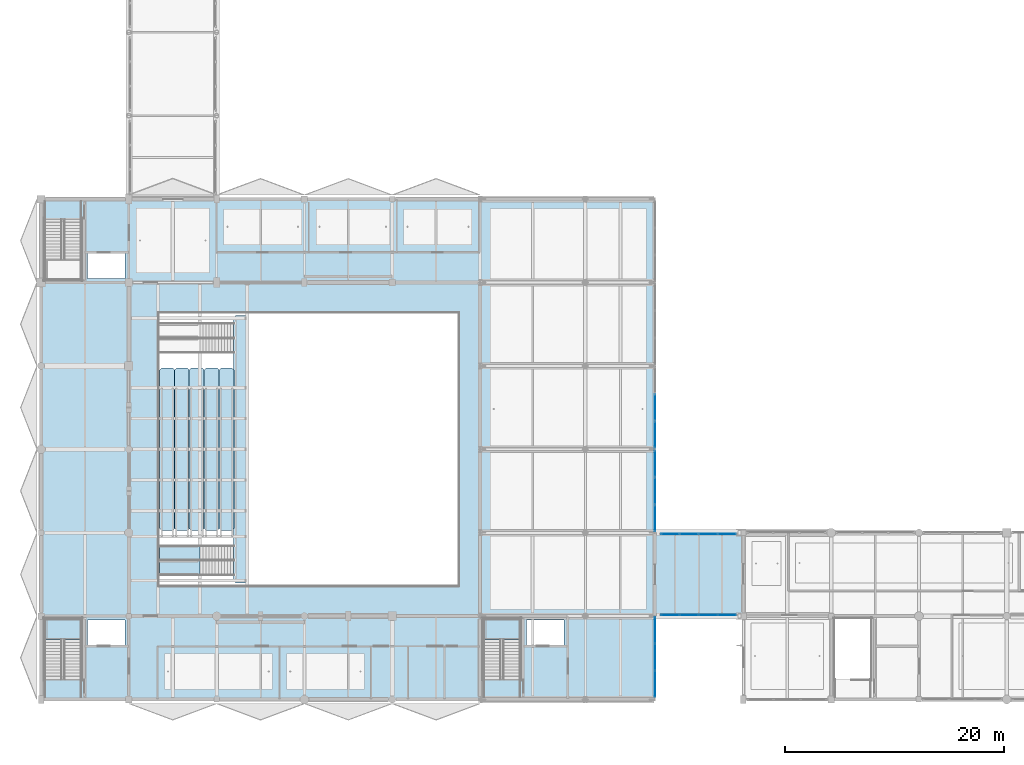
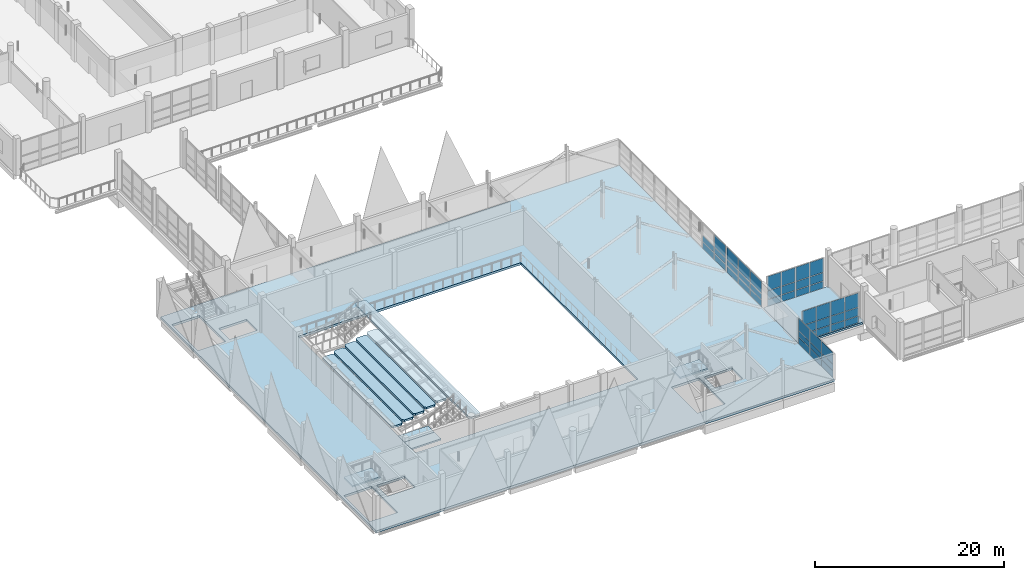
# One storey, part 72 of 141: 47 plates, 12 slabs, 9 elements without a shape of their own.
"""IFC4 building model written with IfcOpenShell, lengths in metres."""

from ifc_helpers import new_model, si_unit, direction, frame, origin, origin_2d, place, context, subcontext, project, spatial, polyline, rectangle, outline, extrude, material, layer, layer_set, type_object, element, aggregate, save


model = new_model("IFC4")

# Units and contexts
model_context = context("Model", 3, precision=1e-05, world=origin(), true_north=direction((0.0, 1.0)))
body_context = subcontext(model_context, "Body", "Model", "MODEL_VIEW")
ifc_project = project(units=[si_unit("LENGTHUNIT", "METRE"), si_unit("AREAUNIT", "SQUARE_METRE"), si_unit("VOLUMEUNIT", "CUBIC_METRE"), si_unit("PLANEANGLEUNIT", "RADIAN"), si_unit("MASSUNIT", "GRAM", prefix="KILO")], contexts=[model_context])

# Site, building, storey
site_placement = place(None, origin())
site = spatial("IfcSite", under=ifc_project, at=site_placement, CompositionType="ELEMENT")
building_placement = place(site_placement, origin())
building = spatial("IfcBuilding", under=site, at=building_placement, Name="Khelvaren Railside Concert Hall", CompositionType="ELEMENT")
storey_placement = place(building_placement, frame((0.0, 0.0, 10.199951171875)))
storey = spatial("IfcBuildingStorey", under=building, at=storey_placement, Name="L02", CompositionType="ELEMENT", Elevation=10.199951171875)

# Curtain wall, plates
ifc_material_1 = material(Name="Double-glazed clear foyer glass", Category="glass")
curtain_wall_type_1 = type_object("IfcCurtainWallType", Name="CW70", PredefinedType="USERDEFINED", material=ifc_material_1)
curtain_wall_1_placement = place(storey_placement, origin())
curtain_wall_1 = element("IfcCurtainWall", 1, at=curtain_wall_1_placement, inside=storey, type_object=curtain_wall_type_1, Name="Unitised Curtain Wall CW-V1-L02-E-0", ObjectType="UNITISED CURTAIN WALL", PredefinedType="USERDEFINED")
ifc_layer_1 = layer(ifc_material_1, 0.0439453125)
ifc_layer_set_1 = layer_set([ifc_layer_1], Name="Double-glazed clear foyer glass")
plate_type_1 = type_object("IfcPlateType", Name="CWP33", PredefinedType="CURTAIN_PANEL", material=ifc_layer_set_1)
plate_1_placement = place(storey_placement, frame((55.93994140625, 6.307861328125, 0.06494140625), z_axis=(0.0, 0.0, 1.0), x_axis=(0.0, -1.0, 0.0)))
plate_1 = element("IfcPlate", 2, at=plate_1_placement, type_object=plate_type_1, Name="CW70 panel 1.1", PredefinedType="CURTAIN_PANEL", context=body_context, shape_type="SweptSolid", body=[
    extrude(rectangle(XDim=2.354248046875, YDim=0.0439453125, at=origin_2d()), origin(), (0.0, 0.0, 1.0), 0.8525390625),
])
plate_2_placement = place(storey_placement, frame((55.93994140625, 6.307861328125, 0.982421875), z_axis=(0.0, 0.0, 1.0), x_axis=(0.0, -1.0, 0.0)))
plate_2 = element("IfcPlate", 3, at=plate_2_placement, type_object=plate_type_1, Name="CW70 panel 1.2", PredefinedType="CURTAIN_PANEL", context=body_context, shape_type="SweptSolid", body=[
    extrude(rectangle(XDim=2.354248046875, YDim=0.0439453125, at=origin_2d()), origin(), (0.0, 0.0, 1.0), 0.75830078125),
])
plate_3_placement = place(storey_placement, frame((55.93994140625, 6.307861328125, 1.8056640625), z_axis=(0.0, 0.0, 1.0), x_axis=(0.0, -1.0, 0.0)))
plate_3 = element("IfcPlate", 4, at=plate_3_placement, type_object=plate_type_1, Name="CW70 panel 1.3", PredefinedType="CURTAIN_PANEL", context=body_context, shape_type="SweptSolid", body=[
    extrude(rectangle(XDim=2.354248046875, YDim=0.0439453125, at=origin_2d()), origin(), (0.0, 0.0, 1.0), 1.539306640625),
])
plate_4_placement = place(storey_placement, frame((55.93994140625, 3.860107421875, 0.06494140625), z_axis=(0.0, 0.0, 1.0), x_axis=(0.0, -1.0, 0.0)))
plate_4 = element("IfcPlate", 5, at=plate_4_placement, type_object=plate_type_1, Name="CW70 panel 2.1", PredefinedType="CURTAIN_PANEL", context=body_context, shape_type="SweptSolid", body=[
    extrude(rectangle(XDim=2.3916015625, YDim=0.0439453125, at=origin_2d()), origin(), (0.0, 0.0, 1.0), 0.8525390625),
])
plate_5_placement = place(storey_placement, frame((55.93994140625, 3.860107421875, 0.982421875), z_axis=(0.0, 0.0, 1.0), x_axis=(0.0, -1.0, 0.0)))
plate_5 = element("IfcPlate", 6, at=plate_5_placement, type_object=plate_type_1, Name="CW70 panel 2.2", PredefinedType="CURTAIN_PANEL", context=body_context, shape_type="SweptSolid", body=[
    extrude(rectangle(XDim=2.3916015625, YDim=0.0439453125, at=origin_2d()), origin(), (0.0, 0.0, 1.0), 0.75830078125),
])
plate_6_placement = place(storey_placement, frame((55.93994140625, 3.860107421875, 1.8056640625), z_axis=(0.0, 0.0, 1.0), x_axis=(0.0, -1.0, 0.0)))
plate_6 = element("IfcPlate", 7, at=plate_6_placement, type_object=plate_type_1, Name="CW70 panel 2.3", PredefinedType="CURTAIN_PANEL", context=body_context, shape_type="SweptSolid", body=[
    extrude(rectangle(XDim=2.3916015625, YDim=0.0439453125, at=origin_2d()), origin(), (0.0, 0.0, 1.0), 1.539306640625),
])
plate_7_placement = place(storey_placement, frame((55.93994140625, 1.412109375, 0.06494140625), z_axis=(0.0, 0.0, 1.0), x_axis=(0.0, -1.0, 0.0)))
plate_7 = element("IfcPlate", 8, at=plate_7_placement, type_object=plate_type_1, Name="CW70 panel 3.1", PredefinedType="CURTAIN_PANEL", context=body_context, shape_type="SweptSolid", body=[
    extrude(rectangle(XDim=2.354248046875, YDim=0.0439453125, at=origin_2d()), origin(), (0.0, 0.0, 1.0), 0.8525390625),
])
plate_8_placement = place(storey_placement, frame((55.93994140625, 1.412109375, 0.982421875), z_axis=(0.0, 0.0, 1.0), x_axis=(0.0, -1.0, 0.0)))
plate_8 = element("IfcPlate", 9, at=plate_8_placement, type_object=plate_type_1, Name="CW70 panel 3.2", PredefinedType="CURTAIN_PANEL", context=body_context, shape_type="SweptSolid", body=[
    extrude(rectangle(XDim=2.354248046875, YDim=0.0439453125, at=origin_2d()), origin(), (0.0, 0.0, 1.0), 0.75830078125),
])
plate_9_placement = place(storey_placement, frame((55.93994140625, 1.412109375, 1.8056640625), z_axis=(0.0, 0.0, 1.0), x_axis=(0.0, -1.0, 0.0)))
plate_9 = element("IfcPlate", 10, at=plate_9_placement, type_object=plate_type_1, Name="CW70 panel 3.3", PredefinedType="CURTAIN_PANEL", context=body_context, shape_type="SweptSolid", body=[
    extrude(rectangle(XDim=2.354248046875, YDim=0.0439453125, at=origin_2d()), origin(), (0.0, 0.0, 1.0), 1.539306640625),
])
aggregate(curtain_wall_1, [plate_1, plate_2, plate_3, plate_4, plate_5, plate_6, plate_7, plate_8, plate_9])

curtain_wall_type_2 = type_object("IfcCurtainWallType", Name="CW47", PredefinedType="USERDEFINED", material=ifc_material_1)
curtain_wall_2_placement = place(storey_placement, origin())
curtain_wall_2 = element("IfcCurtainWall", 11, at=curtain_wall_2_placement, inside=storey, type_object=curtain_wall_type_2, Name="Unitised Curtain Wall CW-LB1-L02-S", ObjectType="UNITISED CURTAIN WALL", PredefinedType="USERDEFINED")
plate_10_placement = place(storey_placement, frame((62.512451171875, 7.699951171875, 0.06494140625), z_axis=(0.0, 0.0, 1.0), x_axis=(-1.0, 0.0, 0.0)))
plate_10 = element("IfcPlate", 12, at=plate_10_placement, type_object=plate_type_1, Name="CW47 panel 1.1", PredefinedType="CURTAIN_PANEL", context=body_context, shape_type="SweptSolid", body=[
    extrude(rectangle(XDim=1.625, YDim=0.0439453125, at=origin_2d()), origin(), (0.0, 0.0, 1.0), 0.8525390625),
])
plate_11_placement = place(storey_placement, frame((62.512451171875, 7.699951171875, 0.982421875), z_axis=(0.0, 0.0, 1.0), x_axis=(-1.0, 0.0, 0.0)))
plate_11 = element("IfcPlate", 13, at=plate_11_placement, type_object=plate_type_1, Name="CW47 panel 1.2", PredefinedType="CURTAIN_PANEL", context=body_context, shape_type="SweptSolid", body=[
    extrude(rectangle(XDim=1.625, YDim=0.0439453125, at=origin_2d()), origin(), (0.0, 0.0, 1.0), 1.0546875),
])
plate_12_placement = place(storey_placement, frame((62.512451171875, 7.699951171875, 2.10205078125), z_axis=(0.0, 0.0, 1.0), x_axis=(-1.0, 0.0, 0.0)))
plate_12 = element("IfcPlate", 14, at=plate_12_placement, type_object=plate_type_1, Name="CW47 panel 1.3", PredefinedType="CURTAIN_PANEL", context=body_context, shape_type="SweptSolid", body=[
    extrude(rectangle(XDim=1.625, YDim=0.0439453125, at=origin_2d()), origin(), (0.0, 0.0, 1.0), 1.81298828125),
])
plate_13_placement = place(storey_placement, frame((60.793701171875, 7.699951171875, 0.06494140625), z_axis=(0.0, 0.0, 1.0), x_axis=(-1.0, 0.0, 0.0)))
plate_13 = element("IfcPlate", 15, at=plate_13_placement, type_object=plate_type_1, Name="CW47 panel 2.1", PredefinedType="CURTAIN_PANEL", context=body_context, shape_type="SweptSolid", body=[
    extrude(rectangle(XDim=1.66259765625, YDim=0.0439453125, at=origin_2d()), origin(), (0.0, 0.0, 1.0), 0.8525390625),
])
plate_14_placement = place(storey_placement, frame((60.793701171875, 7.699951171875, 0.982421875), z_axis=(0.0, 0.0, 1.0), x_axis=(-1.0, 0.0, 0.0)))
plate_14 = element("IfcPlate", 16, at=plate_14_placement, type_object=plate_type_1, Name="CW47 panel 2.2", PredefinedType="CURTAIN_PANEL", context=body_context, shape_type="SweptSolid", body=[
    extrude(rectangle(XDim=1.66259765625, YDim=0.0439453125, at=origin_2d()), origin(), (0.0, 0.0, 1.0), 1.0546875),
])
plate_15_placement = place(storey_placement, frame((60.793701171875, 7.699951171875, 2.10205078125), z_axis=(0.0, 0.0, 1.0), x_axis=(-1.0, 0.0, 0.0)))
plate_15 = element("IfcPlate", 17, at=plate_15_placement, type_object=plate_type_1, Name="CW47 panel 2.3", PredefinedType="CURTAIN_PANEL", context=body_context, shape_type="SweptSolid", body=[
    extrude(rectangle(XDim=1.66259765625, YDim=0.0439453125, at=origin_2d()), origin(), (0.0, 0.0, 1.0), 1.81298828125),
])
plate_16_placement = place(storey_placement, frame((59.05615234375, 7.699951171875, 0.06494140625), z_axis=(0.0, 0.0, 1.0), x_axis=(-1.0, 0.0, 0.0)))
plate_16 = element("IfcPlate", 18, at=plate_16_placement, type_object=plate_type_1, Name="CW47 panel 3.1", PredefinedType="CURTAIN_PANEL", context=body_context, shape_type="SweptSolid", body=[
    extrude(rectangle(XDim=1.66259765625, YDim=0.0439453125, at=origin_2d()), origin(), (0.0, 0.0, 1.0), 0.8525390625),
])
plate_17_placement = place(storey_placement, frame((59.05615234375, 7.699951171875, 0.982421875), z_axis=(0.0, 0.0, 1.0), x_axis=(-1.0, 0.0, 0.0)))
plate_17 = element("IfcPlate", 19, at=plate_17_placement, type_object=plate_type_1, Name="CW47 panel 3.2", PredefinedType="CURTAIN_PANEL", context=body_context, shape_type="SweptSolid", body=[
    extrude(rectangle(XDim=1.66259765625, YDim=0.0439453125, at=origin_2d()), origin(), (0.0, 0.0, 1.0), 1.0546875),
])
plate_18_placement = place(storey_placement, frame((59.05615234375, 7.699951171875, 2.10205078125), z_axis=(0.0, 0.0, 1.0), x_axis=(-1.0, 0.0, 0.0)))
plate_18 = element("IfcPlate", 20, at=plate_18_placement, type_object=plate_type_1, Name="CW47 panel 3.3", PredefinedType="CURTAIN_PANEL", context=body_context, shape_type="SweptSolid", body=[
    extrude(rectangle(XDim=1.66259765625, YDim=0.0439453125, at=origin_2d()), origin(), (0.0, 0.0, 1.0), 1.81298828125),
])
plate_19_placement = place(storey_placement, frame((57.33740234375, 7.699951171875, 0.06494140625), z_axis=(0.0, 0.0, 1.0), x_axis=(-1.0, 0.0, 0.0)))
plate_19 = element("IfcPlate", 21, at=plate_19_placement, type_object=plate_type_1, Name="CW47 panel 4.1", PredefinedType="CURTAIN_PANEL", context=body_context, shape_type="SweptSolid", body=[
    extrude(rectangle(XDim=1.625, YDim=0.0439453125, at=origin_2d()), origin(), (0.0, 0.0, 1.0), 0.8525390625),
])
plate_20_placement = place(storey_placement, frame((57.33740234375, 7.699951171875, 0.982421875), z_axis=(0.0, 0.0, 1.0), x_axis=(-1.0, 0.0, 0.0)))
plate_20 = element("IfcPlate", 22, at=plate_20_placement, type_object=plate_type_1, Name="CW47 panel 4.2", PredefinedType="CURTAIN_PANEL", context=body_context, shape_type="SweptSolid", body=[
    extrude(rectangle(XDim=1.625, YDim=0.0439453125, at=origin_2d()), origin(), (0.0, 0.0, 1.0), 1.0546875),
])
plate_21_placement = place(storey_placement, frame((57.33740234375, 7.699951171875, 2.10205078125), z_axis=(0.0, 0.0, 1.0), x_axis=(-1.0, 0.0, 0.0)))
plate_21 = element("IfcPlate", 23, at=plate_21_placement, type_object=plate_type_1, Name="CW47 panel 4.3", PredefinedType="CURTAIN_PANEL", context=body_context, shape_type="SweptSolid", body=[
    extrude(rectangle(XDim=1.625, YDim=0.0439453125, at=origin_2d()), origin(), (0.0, 0.0, 1.0), 1.81298828125),
])
aggregate(curtain_wall_2, [plate_10, plate_11, plate_12, plate_13, plate_14, plate_15, plate_16, plate_17, plate_18, plate_19, plate_20, plate_21])

curtain_wall_3_placement = place(storey_placement, origin())
curtain_wall_3 = element("IfcCurtainWall", 24, at=curtain_wall_3_placement, inside=storey, type_object=curtain_wall_type_2, Name="Unitised Curtain Wall CW-LB1-L02-N", ObjectType="UNITISED CURTAIN WALL", PredefinedType="USERDEFINED")
plate_22_placement = place(storey_placement, frame((57.33740234375, 15.10009765625, 0.06494140625), z_axis=(0.0, 0.0, 1.0), x_axis=(1.0, 0.0, 0.0)))
plate_22 = element("IfcPlate", 25, at=plate_22_placement, type_object=plate_type_1, Name="CW47 panel 1.1", PredefinedType="CURTAIN_PANEL", context=body_context, shape_type="SweptSolid", body=[
    extrude(rectangle(XDim=1.625, YDim=0.0439453125, at=origin_2d()), origin(), (0.0, 0.0, 1.0), 0.8525390625),
])
plate_23_placement = place(storey_placement, frame((57.33740234375, 15.10009765625, 0.982421875), z_axis=(0.0, 0.0, 1.0), x_axis=(1.0, 0.0, 0.0)))
plate_23 = element("IfcPlate", 26, at=plate_23_placement, type_object=plate_type_1, Name="CW47 panel 1.2", PredefinedType="CURTAIN_PANEL", context=body_context, shape_type="SweptSolid", body=[
    extrude(rectangle(XDim=1.625, YDim=0.0439453125, at=origin_2d()), origin(), (0.0, 0.0, 1.0), 1.0546875),
])
plate_24_placement = place(storey_placement, frame((57.33740234375, 15.10009765625, 2.10205078125), z_axis=(0.0, 0.0, 1.0), x_axis=(1.0, 0.0, 0.0)))
plate_24 = element("IfcPlate", 27, at=plate_24_placement, type_object=plate_type_1, Name="CW47 panel 1.3", PredefinedType="CURTAIN_PANEL", context=body_context, shape_type="SweptSolid", body=[
    extrude(rectangle(XDim=1.625, YDim=0.0439453125, at=origin_2d()), origin(), (0.0, 0.0, 1.0), 1.81298828125),
])
plate_25_placement = place(storey_placement, frame((59.05615234375, 15.10009765625, 0.06494140625), z_axis=(0.0, 0.0, 1.0), x_axis=(1.0, 0.0, 0.0)))
plate_25 = element("IfcPlate", 28, at=plate_25_placement, type_object=plate_type_1, Name="CW47 panel 2.1", PredefinedType="CURTAIN_PANEL", context=body_context, shape_type="SweptSolid", body=[
    extrude(rectangle(XDim=1.66259765625, YDim=0.0439453125, at=origin_2d()), origin(), (0.0, 0.0, 1.0), 0.8525390625),
])
plate_26_placement = place(storey_placement, frame((59.05615234375, 15.10009765625, 0.982421875), z_axis=(0.0, 0.0, 1.0), x_axis=(1.0, 0.0, 0.0)))
plate_26 = element("IfcPlate", 29, at=plate_26_placement, type_object=plate_type_1, Name="CW47 panel 2.2", PredefinedType="CURTAIN_PANEL", context=body_context, shape_type="SweptSolid", body=[
    extrude(rectangle(XDim=1.66259765625, YDim=0.0439453125, at=origin_2d()), origin(), (0.0, 0.0, 1.0), 1.0546875),
])
plate_27_placement = place(storey_placement, frame((59.05615234375, 15.10009765625, 2.10205078125), z_axis=(0.0, 0.0, 1.0), x_axis=(1.0, 0.0, 0.0)))
plate_27 = element("IfcPlate", 30, at=plate_27_placement, type_object=plate_type_1, Name="CW47 panel 2.3", PredefinedType="CURTAIN_PANEL", context=body_context, shape_type="SweptSolid", body=[
    extrude(rectangle(XDim=1.66259765625, YDim=0.0439453125, at=origin_2d()), origin(), (0.0, 0.0, 1.0), 1.81298828125),
])
plate_28_placement = place(storey_placement, frame((60.793701171875, 15.10009765625, 0.06494140625), z_axis=(0.0, 0.0, 1.0), x_axis=(1.0, 0.0, 0.0)))
plate_28 = element("IfcPlate", 31, at=plate_28_placement, type_object=plate_type_1, Name="CW47 panel 3.1", PredefinedType="CURTAIN_PANEL", context=body_context, shape_type="SweptSolid", body=[
    extrude(rectangle(XDim=1.66259765625, YDim=0.0439453125, at=origin_2d()), origin(), (0.0, 0.0, 1.0), 0.8525390625),
])
plate_29_placement = place(storey_placement, frame((60.793701171875, 15.10009765625, 0.982421875), z_axis=(0.0, 0.0, 1.0), x_axis=(1.0, 0.0, 0.0)))
plate_29 = element("IfcPlate", 32, at=plate_29_placement, type_object=plate_type_1, Name="CW47 panel 3.2", PredefinedType="CURTAIN_PANEL", context=body_context, shape_type="SweptSolid", body=[
    extrude(rectangle(XDim=1.66259765625, YDim=0.0439453125, at=origin_2d()), origin(), (0.0, 0.0, 1.0), 1.0546875),
])
plate_30_placement = place(storey_placement, frame((60.793701171875, 15.10009765625, 2.10205078125), z_axis=(0.0, 0.0, 1.0), x_axis=(1.0, 0.0, 0.0)))
plate_30 = element("IfcPlate", 33, at=plate_30_placement, type_object=plate_type_1, Name="CW47 panel 3.3", PredefinedType="CURTAIN_PANEL", context=body_context, shape_type="SweptSolid", body=[
    extrude(rectangle(XDim=1.66259765625, YDim=0.0439453125, at=origin_2d()), origin(), (0.0, 0.0, 1.0), 1.81298828125),
])
plate_31_placement = place(storey_placement, frame((62.512451171875, 15.10009765625, 0.06494140625), z_axis=(0.0, 0.0, 1.0), x_axis=(1.0, 0.0, 0.0)))
plate_31 = element("IfcPlate", 34, at=plate_31_placement, type_object=plate_type_1, Name="CW47 panel 4.1", PredefinedType="CURTAIN_PANEL", context=body_context, shape_type="SweptSolid", body=[
    extrude(rectangle(XDim=1.625, YDim=0.0439453125, at=origin_2d()), origin(), (0.0, 0.0, 1.0), 0.8525390625),
])
plate_32_placement = place(storey_placement, frame((62.512451171875, 15.10009765625, 0.982421875), z_axis=(0.0, 0.0, 1.0), x_axis=(1.0, 0.0, 0.0)))
plate_32 = element("IfcPlate", 35, at=plate_32_placement, type_object=plate_type_1, Name="CW47 panel 4.2", PredefinedType="CURTAIN_PANEL", context=body_context, shape_type="SweptSolid", body=[
    extrude(rectangle(XDim=1.625, YDim=0.0439453125, at=origin_2d()), origin(), (0.0, 0.0, 1.0), 1.0546875),
])
plate_33_placement = place(storey_placement, frame((62.512451171875, 15.10009765625, 2.10205078125), z_axis=(0.0, 0.0, 1.0), x_axis=(1.0, 0.0, 0.0)))
plate_33 = element("IfcPlate", 36, at=plate_33_placement, type_object=plate_type_1, Name="CW47 panel 4.3", PredefinedType="CURTAIN_PANEL", context=body_context, shape_type="SweptSolid", body=[
    extrude(rectangle(XDim=1.625, YDim=0.0439453125, at=origin_2d()), origin(), (0.0, 0.0, 1.0), 1.81298828125),
])
aggregate(curtain_wall_3, [plate_22, plate_23, plate_24, plate_25, plate_26, plate_27, plate_28, plate_29, plate_30, plate_31, plate_32, plate_33])

ifc_material_2 = material(Name="Acoustic laminated crystal facade glass", Category="glass")
curtain_wall_type_3 = type_object("IfcCurtainWallType", Name="CW21", PredefinedType="USERDEFINED", material=ifc_material_2)
curtain_wall_4_placement = place(storey_placement, origin())
curtain_wall_4 = element("IfcCurtainWall", 37, at=curtain_wall_4_placement, inside=storey, type_object=curtain_wall_type_3, Name="Unitised Curtain Wall CW-V1-L02-E-15", ObjectType="UNITISED CURTAIN WALL", PredefinedType="USERDEFINED")
ifc_layer_2 = layer(ifc_material_2, 0.0400390625)
ifc_layer_set_2 = layer_set([ifc_layer_2], Name="Acoustic laminated crystal facade glass")
plate_type_2 = type_object("IfcPlateType", Name="CWP77", PredefinedType="CURTAIN_PANEL", material=ifc_layer_set_2)
plate_34_placement = place(storey_placement, frame((55.93994140625, 21.4853515625, 0.0849609375), z_axis=(0.0, 0.0, 1.0), x_axis=(0.0, -1.0, 0.0)))
plate_34 = element("IfcPlate", 38, at=plate_34_placement, type_object=plate_type_2, Name="CW21 panel 1.1", PredefinedType="CURTAIN_PANEL", context=body_context, shape_type="SweptSolid", body=[
    extrude(rectangle(XDim=2.379150390625, YDim=0.0400390625, at=origin_2d()), origin(), (0.0, 0.0, 1.0), 0.822509765625),
])
plate_35_placement = place(storey_placement, frame((55.93994140625, 21.4853515625, 0.992431640625), z_axis=(0.0, 0.0, 1.0), x_axis=(0.0, -1.0, 0.0)))
plate_35 = element("IfcPlate", 39, at=plate_35_placement, type_object=plate_type_2, Name="CW21 panel 1.2", PredefinedType="CURTAIN_PANEL", context=body_context, shape_type="SweptSolid", body=[
    extrude(rectangle(XDim=2.379150390625, YDim=0.0400390625, at=origin_2d()), origin(), (0.0, 0.0, 1.0), 0.73828125),
])
plate_36_placement = place(storey_placement, frame((55.93994140625, 21.4853515625, 1.815673828125), z_axis=(0.0, 0.0, 1.0), x_axis=(0.0, -1.0, 0.0)))
plate_36 = element("IfcPlate", 40, at=plate_36_placement, type_object=plate_type_2, Name="CW21 panel 1.3", PredefinedType="CURTAIN_PANEL", context=body_context, shape_type="SweptSolid", body=[
    extrude(rectangle(XDim=2.379150390625, YDim=0.0400390625, at=origin_2d()), origin(), (0.0, 0.0, 1.0), 1.50927734375),
])
plate_37_placement = place(storey_placement, frame((55.93994140625, 19.0, 0.0849609375), z_axis=(0.0, 0.0, 1.0), x_axis=(0.0, -1.0, 0.0)))
plate_37 = element("IfcPlate", 41, at=plate_37_placement, type_object=plate_type_2, Name="CW21 panel 2.1", PredefinedType="CURTAIN_PANEL", context=body_context, shape_type="SweptSolid", body=[
    extrude(rectangle(XDim=2.421630859375, YDim=0.0400390625, at=origin_2d()), origin(), (0.0, 0.0, 1.0), 0.822509765625),
])
plate_38_placement = place(storey_placement, frame((55.93994140625, 19.0, 0.992431640625), z_axis=(0.0, 0.0, 1.0), x_axis=(0.0, -1.0, 0.0)))
plate_38 = element("IfcPlate", 42, at=plate_38_placement, type_object=plate_type_2, Name="CW21 panel 2.2", PredefinedType="CURTAIN_PANEL", context=body_context, shape_type="SweptSolid", body=[
    extrude(rectangle(XDim=2.421630859375, YDim=0.0400390625, at=origin_2d()), origin(), (0.0, 0.0, 1.0), 0.73828125),
])
plate_39_placement = place(storey_placement, frame((55.93994140625, 19.0, 1.815673828125), z_axis=(0.0, 0.0, 1.0), x_axis=(0.0, -1.0, 0.0)))
plate_39 = element("IfcPlate", 43, at=plate_39_placement, type_object=plate_type_2, Name="CW21 panel 2.3", PredefinedType="CURTAIN_PANEL", context=body_context, shape_type="SweptSolid", body=[
    extrude(rectangle(XDim=2.421630859375, YDim=0.0400390625, at=origin_2d()), origin(), (0.0, 0.0, 1.0), 1.50927734375),
])
plate_40_placement = place(storey_placement, frame((55.93994140625, 16.5146484375, 0.0849609375), z_axis=(0.0, 0.0, 1.0), x_axis=(0.0, -1.0, 0.0)))
plate_40 = element("IfcPlate", 44, at=plate_40_placement, type_object=plate_type_2, Name="CW21 panel 3.1", PredefinedType="CURTAIN_PANEL", context=body_context, shape_type="SweptSolid", body=[
    extrude(rectangle(XDim=2.379150390625, YDim=0.0400390625, at=origin_2d()), origin(), (0.0, 0.0, 1.0), 0.822509765625),
])
plate_41_placement = place(storey_placement, frame((55.93994140625, 16.5146484375, 0.992431640625), z_axis=(0.0, 0.0, 1.0), x_axis=(0.0, -1.0, 0.0)))
plate_41 = element("IfcPlate", 45, at=plate_41_placement, type_object=plate_type_2, Name="CW21 panel 3.2", PredefinedType="CURTAIN_PANEL", context=body_context, shape_type="SweptSolid", body=[
    extrude(rectangle(XDim=2.379150390625, YDim=0.0400390625, at=origin_2d()), origin(), (0.0, 0.0, 1.0), 0.73828125),
])
plate_42_placement = place(storey_placement, frame((55.93994140625, 16.5146484375, 1.815673828125), z_axis=(0.0, 0.0, 1.0), x_axis=(0.0, -1.0, 0.0)))
plate_42 = element("IfcPlate", 46, at=plate_42_placement, type_object=plate_type_2, Name="CW21 panel 3.3", PredefinedType="CURTAIN_PANEL", context=body_context, shape_type="SweptSolid", body=[
    extrude(rectangle(XDim=2.379150390625, YDim=0.0400390625, at=origin_2d()), origin(), (0.0, 0.0, 1.0), 1.50927734375),
])
aggregate(curtain_wall_4, [plate_34, plate_35, plate_36, plate_37, plate_38, plate_39, plate_40, plate_41, plate_42])

curtain_wall_type_4 = type_object("IfcCurtainWallType", Name="CW15", PredefinedType="USERDEFINED", material=ifc_material_2)
curtain_wall_5_placement = place(storey_placement, origin())
curtain_wall_5 = element("IfcCurtainWall", 47, at=curtain_wall_5_placement, inside=storey, type_object=curtain_wall_type_4, Name="Unitised Curtain Wall CW-V1-L02-E-23", ObjectType="UNITISED CURTAIN WALL", PredefinedType="USERDEFINED")
plate_43_placement = place(storey_placement, frame((55.93994140625, 26.60009765625, 0.0849609375), z_axis=(0.0, 0.0, 1.0), x_axis=(0.0, -1.0, 0.0)))
plate_43 = element("IfcPlate", 48, at=plate_43_placement, type_object=plate_type_2, Name="CW15 panel 2.1", PredefinedType="CURTAIN_PANEL", context=body_context, shape_type="SweptSolid", body=[
    extrude(rectangle(XDim=2.421630859375, YDim=0.0400390625, at=origin_2d()), origin(), (0.0, 0.0, 1.0), 0.822509765625),
])
plate_44_placement = place(storey_placement, frame((55.93994140625, 26.60009765625, 0.992431640625), z_axis=(0.0, 0.0, 1.0), x_axis=(0.0, -1.0, 0.0)))
plate_44 = element("IfcPlate", 49, at=plate_44_placement, type_object=plate_type_2, Name="CW15 panel 2.2", PredefinedType="CURTAIN_PANEL", context=body_context, shape_type="SweptSolid", body=[
    extrude(rectangle(XDim=2.421630859375, YDim=0.0400390625, at=origin_2d()), origin(), (0.0, 0.0, 1.0), 0.73828125),
])
plate_45_placement = place(storey_placement, frame((55.93994140625, 24.114501953125, 0.0849609375), z_axis=(0.0, 0.0, 1.0), x_axis=(0.0, -1.0, 0.0)))
plate_45 = element("IfcPlate", 50, at=plate_45_placement, type_object=plate_type_2, Name="CW15 panel 3.1", PredefinedType="CURTAIN_PANEL", context=body_context, shape_type="SweptSolid", body=[
    extrude(rectangle(XDim=2.379150390625, YDim=0.0400390625, at=origin_2d()), origin(), (0.0, 0.0, 1.0), 0.822509765625),
])
plate_46_placement = place(storey_placement, frame((55.93994140625, 24.114501953125, 0.992431640625), z_axis=(0.0, 0.0, 1.0), x_axis=(0.0, -1.0, 0.0)))
plate_46 = element("IfcPlate", 51, at=plate_46_placement, type_object=plate_type_2, Name="CW15 panel 3.2", PredefinedType="CURTAIN_PANEL", context=body_context, shape_type="SweptSolid", body=[
    extrude(rectangle(XDim=2.379150390625, YDim=0.0400390625, at=origin_2d()), origin(), (0.0, 0.0, 1.0), 0.73828125),
])
plate_47_placement = place(storey_placement, frame((55.93994140625, 24.114501953125, 1.815673828125), z_axis=(0.0, 0.0, 1.0), x_axis=(0.0, -1.0, 0.0)))
plate_47 = element("IfcPlate", 52, at=plate_47_placement, type_object=plate_type_2, Name="CW15 panel 3.3", PredefinedType="CURTAIN_PANEL", context=body_context, shape_type="SweptSolid", body=[
    extrude(rectangle(XDim=2.379150390625, YDim=0.0400390625, at=origin_2d()), origin(), (0.0, 0.0, 1.0), 1.50927734375),
])
aggregate(curtain_wall_5, [plate_43, plate_44, plate_45, plate_46, plate_47])

# Slabs
ifc_material_3 = material(Name="Concrete C40/50", Category="concrete")
ifc_layer_3 = layer(ifc_material_3, 0.2900390625)
ifc_layer_set_3 = layer_set([ifc_layer_3], Name="Concrete C40/50")
slab_type_1 = type_object("IfcSlabType", Name="FS23", PredefinedType="FLOOR", material=ifc_layer_set_3)
slab_1_placement = place(storey_placement, frame((0.0, 0.0, -0.2900390625)))
element("IfcSlab", 53, at=slab_1_placement, inside=storey, type_object=slab_type_1, Name="V1 L02 Structural Floor Slab", PredefinedType="FLOOR", context=body_context, shape_type="SweptSolid", body=[
    extrude(outline(polyline([(0.0, 0.0), (56.0, 0.0), (56.0, 45.60009765625), (0.0, 45.60009765625), (0.0, 0.0)]), holes=[polyline([(3.699951171875, 1.840087890625), (3.699951171875, 7.360107421875), (0.300048828125, 7.360107421875), (0.300048828125, 1.840087890625), (3.699951171875, 1.840087890625)]), polyline([(4.25, 4.949951171875), (7.64990234375, 4.949951171875), (7.64990234375, 7.25), (4.25, 7.25), (4.25, 4.949951171875)]), polyline([(43.699951171875, 1.840087890625), (43.699951171875, 7.360107421875), (40.300048828125, 7.360107421875), (40.300048828125, 1.840087890625), (43.699951171875, 1.840087890625)]), polyline([(44.25, 4.949951171875), (47.64990234375, 4.949951171875), (47.64990234375, 7.25), (44.25, 7.25), (44.25, 4.949951171875)]), polyline([(0.300048828125, 43.760009765625), (0.300048828125, 38.239990234375), (3.699951171875, 38.239990234375), (3.699951171875, 43.760009765625), (0.300048828125, 43.760009765625)]), polyline([(4.25, 38.35009765625), (7.64990234375, 38.35009765625), (7.64990234375, 40.64990234375), (4.25, 40.64990234375), (4.25, 38.35009765625)]), polyline([(10.800048828125, 10.39990234375), (38.0, 10.39990234375), (38.0, 35.199951171875), (10.800048828125, 35.199951171875), (10.800048828125, 10.39990234375)])]), origin(), (0.0, 0.0, 1.0), 0.2900390625),
])
ifc_layer_4 = layer(ifc_material_3, 0.239990234375)
ifc_layer_set_4 = layer_set([ifc_layer_4], Name="Concrete C40/50")
slab_type_2 = type_object("IfcSlabType", Name="FS36", PredefinedType="FLOOR", material=ifc_layer_set_4)
slab_2_placement = place(storey_placement, frame((0.0, 0.0, -0.239990234375)))
element("IfcSlab", 54, at=slab_2_placement, inside=storey, type_object=slab_type_2, Name="West Promenade Link Bridge L02 Deck Slab", PredefinedType="FLOOR", context=body_context, shape_type="SweptSolid", body=[
    extrude(outline(polyline([(56.25, 7.60009765625), (63.800048828125, 7.60009765625), (64.050048828125, 7.85009765625), (64.050048828125, 14.949951171875), (63.800048828125, 15.199951171875), (56.25, 15.199951171875), (56.0, 14.949951171875), (56.0, 7.85009765625), (56.25, 7.60009765625)])), origin(), (0.0, 0.0, 1.0), 0.239990234375),
])

# Stair, slab
stair_type_1 = type_object("IfcStairType", Name="ST52", PredefinedType="HALF_TURN_STAIR", material=ifc_material_3)
stair_1_placement = place(storey_placement, origin())
stair_1 = element("IfcStair", 55, at=stair_1_placement, inside=storey, type_object=stair_type_1, Name="L02 Core Exit Stair ST-01", PredefinedType="HALF_TURN_STAIR")
ifc_layer_5 = layer(ifc_material_3, 0.199951171875)
ifc_layer_set_5 = layer_set([ifc_layer_5], Name="Concrete C40/50")
slab_type_3 = type_object("IfcSlabType", Name="LND67", PredefinedType="LANDING", material=ifc_layer_set_5)
slab_3_placement = place(storey_placement, frame((0.0, 0.0, 2.199951171875)))
slab_3 = element("IfcSlab", 56, at=slab_3_placement, type_object=slab_type_3, Name="ST-01 landing 1", PredefinedType="LANDING", context=body_context, shape_type="SweptSolid", body=[
    extrude(outline(polyline([(3.699951171875, 5.47998046875), (3.699951171875, 7.360107421875), (0.300048828125, 7.360107421875), (0.300048828125, 5.47998046875), (3.699951171875, 5.47998046875)])), origin(), (0.0, 0.0, 1.0), 0.2001953125),
])
aggregate(stair_1, [slab_3])

stair_2_placement = place(storey_placement, origin())
stair_2 = element("IfcStair", 57, at=stair_2_placement, inside=storey, type_object=stair_type_1, Name="L02 Core Exit Stair ST-02", PredefinedType="HALF_TURN_STAIR")
slab_4_placement = place(storey_placement, frame((0.0, 0.0, 2.199951171875)))
slab_4 = element("IfcSlab", 58, at=slab_4_placement, type_object=slab_type_3, Name="ST-02 landing 1", PredefinedType="LANDING", context=body_context, shape_type="SweptSolid", body=[
    extrude(outline(polyline([(43.699951171875, 5.47998046875), (43.699951171875, 7.360107421875), (40.300048828125, 7.360107421875), (40.300048828125, 5.47998046875), (43.699951171875, 5.47998046875)])), origin(), (0.0, 0.0, 1.0), 0.2001953125),
])
aggregate(stair_2, [slab_4])

ifc_material_4 = material(Name="Precast architectural concrete C40/50", Category="concrete")
stair_type_2 = type_object("IfcStairType", Name="VST15", PredefinedType="STRAIGHT_RUN_STAIR", material=ifc_material_4)
stair_3_placement = place(storey_placement, origin())
stair_3 = element("IfcStair", 59, at=stair_3_placement, inside=storey, type_object=stair_type_2, Name="Auditorium Vomitory Stair ST-21", PredefinedType="STRAIGHT_RUN_STAIR")
slab_5_placement = place(storey_placement, frame((0.0, 0.0, -0.199951171875)))
slab_5 = element("IfcSlab", 60, at=slab_5_placement, type_object=slab_type_3, Name="ST-21 landing 1", PredefinedType="LANDING", context=body_context, shape_type="SweptSolid", body=[
    extrude(outline(polyline([(10.800048828125, 11.300048828125), (14.469970703125, 11.300048828125), (14.469970703125, 12.699951171875), (10.800048828125, 12.699951171875), (10.800048828125, 11.300048828125)])), origin(), (0.0, 0.0, 1.0), 0.199951171875),
])
aggregate(stair_3, [slab_5])

stair_4_placement = place(storey_placement, origin())
stair_4 = element("IfcStair", 61, at=stair_4_placement, inside=storey, type_object=stair_type_2, Name="Auditorium Vomitory Stair ST-22", PredefinedType="STRAIGHT_RUN_STAIR")
slab_6_placement = place(storey_placement, frame((0.0, 0.0, -0.199951171875)))
slab_6 = element("IfcSlab", 62, at=slab_6_placement, type_object=slab_type_3, Name="ST-22 landing 1", PredefinedType="LANDING", context=body_context, shape_type="SweptSolid", body=[
    extrude(outline(polyline([(10.800048828125, 12.64990234375), (14.469970703125, 12.64990234375), (14.469970703125, 14.050048828125), (10.800048828125, 14.050048828125), (10.800048828125, 12.64990234375)])), origin(), (0.0, 0.0, 1.0), 0.199951171875),
])
aggregate(stair_4, [slab_6])

# Slabs
ifc_layer_6 = layer(ifc_material_3, 0.25)
ifc_layer_set_6 = layer_set([ifc_layer_6], Name="Concrete C40/50")
slab_type_4 = type_object("IfcSlabType", Name="TS60", PredefinedType="USERDEFINED", material=ifc_layer_set_6)
slab_7_placement = place(storey_placement, frame((0.0, 0.0, 0.090087890625)))
element("IfcSlab", 63, at=slab_7_placement, inside=storey, type_object=slab_type_4, Name="V1-L02 Balcony Seating Tier 1", ObjectType="SEATING TIER", PredefinedType="USERDEFINED", context=body_context, shape_type="SweptSolid", body=[
    extrude(outline(polyline([(11.0, 15.39990234375), (12.0, 15.39990234375), (12.199951171875, 15.60009765625), (12.199951171875, 30.0), (12.0, 30.199951171875), (11.0, 30.199951171875), (10.800048828125, 30.0), (10.800048828125, 15.60009765625), (11.0, 15.39990234375)])), origin(), (0.0, 0.0, 1.0), 0.25),
])
slab_8_placement = place(storey_placement, frame((0.0, 0.0, 0.429931640625)))
element("IfcSlab", 64, at=slab_8_placement, inside=storey, type_object=slab_type_4, Name="V1-L02 Balcony Seating Tier 2", ObjectType="SEATING TIER", PredefinedType="USERDEFINED", context=body_context, shape_type="SweptSolid", body=[
    extrude(outline(polyline([(12.35009765625, 15.39990234375), (13.35009765625, 15.39990234375), (13.550048828125, 15.60009765625), (13.550048828125, 30.0), (13.35009765625, 30.199951171875), (12.35009765625, 30.199951171875), (12.14990234375, 30.0), (12.14990234375, 15.60009765625), (12.35009765625, 15.39990234375)])), origin(), (0.0, 0.0, 1.0), 0.25),
])
slab_9_placement = place(storey_placement, frame((0.0, 0.0, 0.77001953125)))
element("IfcSlab", 65, at=slab_9_placement, inside=storey, type_object=slab_type_4, Name="V1-L02 Balcony Seating Tier 3", ObjectType="SEATING TIER", PredefinedType="USERDEFINED", context=body_context, shape_type="SweptSolid", body=[
    extrude(outline(polyline([(13.699951171875, 15.39990234375), (14.699951171875, 15.39990234375), (14.89990234375, 15.60009765625), (14.89990234375, 30.0), (14.699951171875, 30.199951171875), (13.699951171875, 30.199951171875), (13.5, 30.0), (13.5, 15.60009765625), (13.699951171875, 15.39990234375)])), origin(), (0.0, 0.0, 1.0), 0.25),
])
slab_10_placement = place(storey_placement, frame((0.0, 0.0, 1.110107421875)))
element("IfcSlab", 66, at=slab_10_placement, inside=storey, type_object=slab_type_4, Name="V1-L02 Balcony Seating Tier 4", ObjectType="SEATING TIER", PredefinedType="USERDEFINED", context=body_context, shape_type="SweptSolid", body=[
    extrude(outline(polyline([(15.050048828125, 15.39990234375), (16.050048828125, 15.39990234375), (16.25, 15.60009765625), (16.25, 30.0), (16.050048828125, 30.199951171875), (15.050048828125, 30.199951171875), (14.85009765625, 30.0), (14.85009765625, 15.60009765625), (15.050048828125, 15.39990234375)])), origin(), (0.0, 0.0, 1.0), 0.25),
])
slab_11_placement = place(storey_placement, frame((0.0, 0.0, 1.449951171875)))
element("IfcSlab", 67, at=slab_11_placement, inside=storey, type_object=slab_type_4, Name="V1-L02 Balcony Seating Tier 5", ObjectType="SEATING TIER", PredefinedType="USERDEFINED", context=body_context, shape_type="SweptSolid", body=[
    extrude(outline(polyline([(16.39990234375, 15.39990234375), (17.39990234375, 15.39990234375), (17.60009765625, 15.60009765625), (17.60009765625, 30.0), (17.39990234375, 30.199951171875), (16.39990234375, 30.199951171875), (16.199951171875, 30.0), (16.199951171875, 15.60009765625), (16.39990234375, 15.39990234375)])), origin(), (0.0, 0.0, 1.0), 0.25),
])
slab_12_placement = place(storey_placement, frame((0.0, 0.0, 1.7900390625)))
element("IfcSlab", 68, at=slab_12_placement, inside=storey, type_object=slab_type_4, Name="V1-L02 Balcony Seating Tier 6", ObjectType="SEATING TIER", PredefinedType="USERDEFINED", context=body_context, shape_type="SweptSolid", body=[
    extrude(outline(polyline([(17.75, 10.60009765625), (18.75, 10.60009765625), (18.949951171875, 10.800048828125), (18.949951171875, 34.800048828125), (18.75, 35.0), (17.75, 35.0), (17.550048828125, 34.800048828125), (17.550048828125, 10.800048828125), (17.75, 10.60009765625)])), origin(), (0.0, 0.0, 1.0), 0.25),
])

save(model, "model.ifc")
